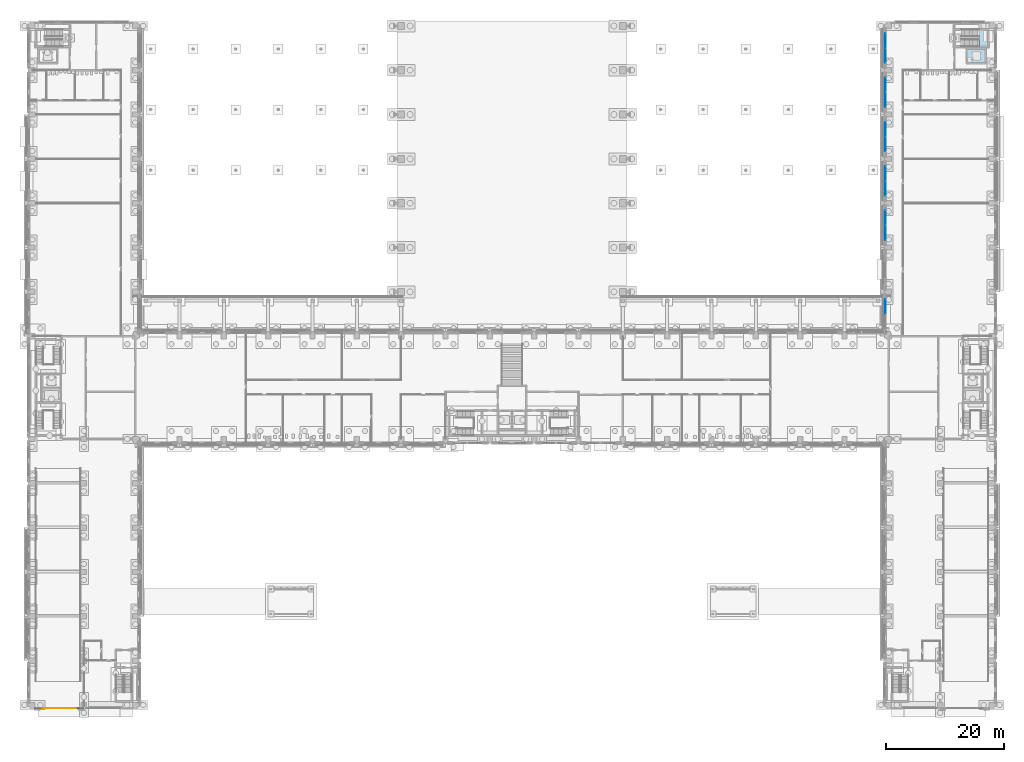
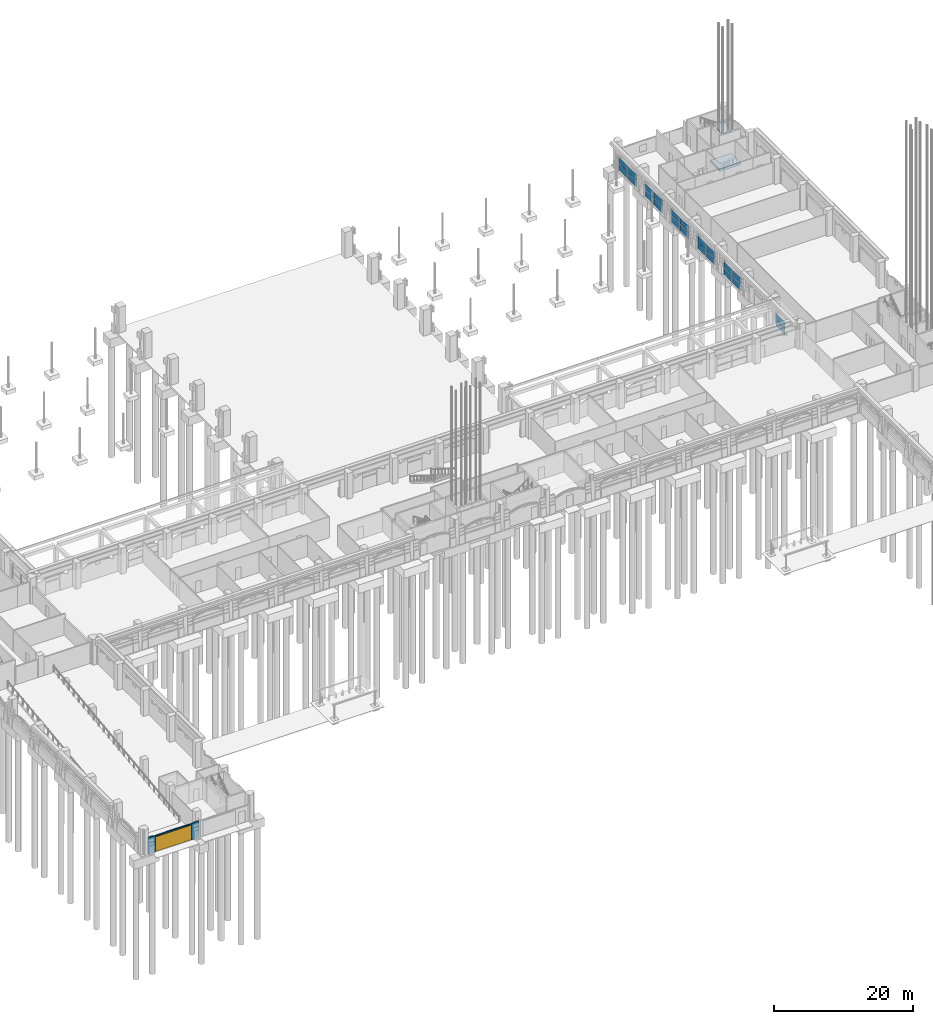
# One storey, part 30 of 99: 22 plates, 2 slabs, 1 door, 1 wall, 1 opening, 7 elements without a shape of their own.
"""IFC4 building model written with IfcOpenShell, lengths in metres."""

from ifc_helpers import new_model, si_unit, direction, frame, frame_2d, origin, origin_2d, place, context, subcontext, project, spatial, polyline, rectangle, outline, extrude, material, layer, layer_set, type_object, element, fill, aggregate, save


model = new_model("IFC4")

# Units and contexts
model_context = context("Model", 3, precision=1e-05, world=origin(), true_north=direction((0.0, 1.0)))
body_context = subcontext(model_context, "Body", "Model", "MODEL_VIEW")
ifc_project = project(units=[si_unit("LENGTHUNIT", "METRE"), si_unit("AREAUNIT", "SQUARE_METRE"), si_unit("VOLUMEUNIT", "CUBIC_METRE"), si_unit("PLANEANGLEUNIT", "RADIAN"), si_unit("MASSUNIT", "GRAM", prefix="KILO")], contexts=[model_context])

# Site, building, storey
site_placement = place(None, origin())
site = spatial("IfcSite", under=ifc_project, at=site_placement, CompositionType="ELEMENT")
building_placement = place(site_placement, origin())
building = spatial("IfcBuilding", under=site, at=building_placement, Name="Cour d'Honneur Mobility Palace", CompositionType="ELEMENT")
storey_placement = place(building_placement, origin())
storey = spatial("IfcBuildingStorey", under=building, at=storey_placement, Name="L00", CompositionType="ELEMENT", Elevation=0.0)

# Curtain wall, plates
ifc_material_1 = material(Name="Aluminium and glass", Category="aluminium")
ifc_layer_1 = layer(ifc_material_1, 0.10009765625)
ifc_layer_set_1 = layer_set([ifc_layer_1], Name="Aluminium and glass")
curtain_wall_type = type_object("IfcCurtainWallType", Name="Curtain wall run", PredefinedType="NOTDEFINED", material=ifc_layer_set_1)
curtain_wall_1_placement = place(storey_placement, origin())
curtain_wall_1 = element("IfcCurtainWall", 1, at=curtain_wall_1_placement, inside=storey, type_object=curtain_wall_type, Name="Curtain wall CW-1", PredefinedType="NOTDEFINED")
ifc_material_2 = material(Name="Double glazing", Category="glass")
ifc_layer_2 = layer(ifc_material_2, 0.028076171875)
ifc_layer_set_2 = layer_set([ifc_layer_2], Name="Double glazing")
plate_type = type_object("IfcPlateType", Name="Curtain wall panel", PredefinedType="CURTAIN_PANEL", material=ifc_layer_set_2)
plate_1_placement = place(storey_placement, frame((144.35009765625, 112.409912109375, 0.06005859375), z_axis=(0.0, 0.0, 1.0), x_axis=(0.0, -1.0, 0.0)))
plate_1 = element("IfcPlate", 2, at=plate_1_placement, type_object=plate_type, Name="CW-1 panel 1.1", PredefinedType="CURTAIN_PANEL", context=body_context, shape_type="SweptSolid", body=[
    extrude(rectangle(XDim=2.4599609375, YDim=0.028076171875, at=origin_2d()), origin(), (0.0, 0.0, 1.0), 1.110107421875),
])
plate_2_placement = place(storey_placement, frame((144.35009765625, 112.409912109375, 1.22998046875), z_axis=(0.0, 0.0, 1.0), x_axis=(0.0, -1.0, 0.0)))
plate_2 = element("IfcPlate", 3, at=plate_2_placement, type_object=plate_type, Name="CW-1 panel 1.2", PredefinedType="CURTAIN_PANEL", context=body_context, shape_type="SweptSolid", body=[
    extrude(rectangle(XDim=2.4599609375, YDim=0.028076171875, at=origin_2d()), origin(), (0.0, 0.0, 1.0), 1.110107421875),
])
plate_3_placement = place(storey_placement, frame((144.35009765625, 109.889892578125, 0.06005859375), z_axis=(0.0, 0.0, 1.0), x_axis=(0.0, -1.0, 0.0)))
plate_3 = element("IfcPlate", 4, at=plate_3_placement, type_object=plate_type, Name="CW-1 panel 2.1", PredefinedType="CURTAIN_PANEL", context=body_context, shape_type="SweptSolid", body=[
    extrude(rectangle(XDim=2.4599609375, YDim=0.028076171875, at=origin_2d()), origin(), (0.0, 0.0, 1.0), 1.110107421875),
])
plate_4_placement = place(storey_placement, frame((144.35009765625, 109.889892578125, 1.22998046875), z_axis=(0.0, 0.0, 1.0), x_axis=(0.0, -1.0, 0.0)))
plate_4 = element("IfcPlate", 5, at=plate_4_placement, type_object=plate_type, Name="CW-1 panel 2.2", PredefinedType="CURTAIN_PANEL", context=body_context, shape_type="SweptSolid", body=[
    extrude(rectangle(XDim=2.4599609375, YDim=0.028076171875, at=origin_2d()), origin(), (0.0, 0.0, 1.0), 1.110107421875),
])
aggregate(curtain_wall_1, [plate_1, plate_2, plate_3, plate_4])

curtain_wall_2_placement = place(storey_placement, origin())
curtain_wall_2 = element("IfcCurtainWall", 6, at=curtain_wall_2_placement, inside=storey, type_object=curtain_wall_type, Name="Curtain wall CW-2", PredefinedType="NOTDEFINED")
plate_5_placement = place(storey_placement, frame((144.35009765625, 104.909912109375, 0.06005859375), z_axis=(0.0, 0.0, 1.0), x_axis=(0.0, -1.0, 0.0)))
plate_5 = element("IfcPlate", 7, at=plate_5_placement, type_object=plate_type, Name="CW-2 panel 1.1", PredefinedType="CURTAIN_PANEL", context=body_context, shape_type="SweptSolid", body=[
    extrude(rectangle(XDim=2.4599609375, YDim=0.028076171875, at=origin_2d()), origin(), (0.0, 0.0, 1.0), 1.110107421875),
])
plate_6_placement = place(storey_placement, frame((144.35009765625, 104.909912109375, 1.22998046875), z_axis=(0.0, 0.0, 1.0), x_axis=(0.0, -1.0, 0.0)))
plate_6 = element("IfcPlate", 8, at=plate_6_placement, type_object=plate_type, Name="CW-2 panel 1.2", PredefinedType="CURTAIN_PANEL", context=body_context, shape_type="SweptSolid", body=[
    extrude(rectangle(XDim=2.4599609375, YDim=0.028076171875, at=origin_2d()), origin(), (0.0, 0.0, 1.0), 1.110107421875),
])
plate_7_placement = place(storey_placement, frame((144.35009765625, 102.389892578125, 0.06005859375), z_axis=(0.0, 0.0, 1.0), x_axis=(0.0, -1.0, 0.0)))
plate_7 = element("IfcPlate", 9, at=plate_7_placement, type_object=plate_type, Name="CW-2 panel 2.1", PredefinedType="CURTAIN_PANEL", context=body_context, shape_type="SweptSolid", body=[
    extrude(rectangle(XDim=2.4599609375, YDim=0.028076171875, at=origin_2d()), origin(), (0.0, 0.0, 1.0), 1.110107421875),
])
plate_8_placement = place(storey_placement, frame((144.35009765625, 102.389892578125, 1.22998046875), z_axis=(0.0, 0.0, 1.0), x_axis=(0.0, -1.0, 0.0)))
plate_8 = element("IfcPlate", 10, at=plate_8_placement, type_object=plate_type, Name="CW-2 panel 2.2", PredefinedType="CURTAIN_PANEL", context=body_context, shape_type="SweptSolid", body=[
    extrude(rectangle(XDim=2.4599609375, YDim=0.028076171875, at=origin_2d()), origin(), (0.0, 0.0, 1.0), 1.110107421875),
])
aggregate(curtain_wall_2, [plate_5, plate_6, plate_7, plate_8])

curtain_wall_3_placement = place(storey_placement, origin())
curtain_wall_3 = element("IfcCurtainWall", 11, at=curtain_wall_3_placement, inside=storey, type_object=curtain_wall_type, Name="Curtain wall CW-3", PredefinedType="NOTDEFINED")
plate_9_placement = place(storey_placement, frame((144.35009765625, 97.409912109375, 0.06005859375), z_axis=(0.0, 0.0, 1.0), x_axis=(0.0, -1.0, 0.0)))
plate_9 = element("IfcPlate", 12, at=plate_9_placement, type_object=plate_type, Name="CW-3 panel 1.1", PredefinedType="CURTAIN_PANEL", context=body_context, shape_type="SweptSolid", body=[
    extrude(rectangle(XDim=2.4599609375, YDim=0.028076171875, at=origin_2d()), origin(), (0.0, 0.0, 1.0), 1.110107421875),
])
plate_10_placement = place(storey_placement, frame((144.35009765625, 97.409912109375, 1.22998046875), z_axis=(0.0, 0.0, 1.0), x_axis=(0.0, -1.0, 0.0)))
plate_10 = element("IfcPlate", 13, at=plate_10_placement, type_object=plate_type, Name="CW-3 panel 1.2", PredefinedType="CURTAIN_PANEL", context=body_context, shape_type="SweptSolid", body=[
    extrude(rectangle(XDim=2.4599609375, YDim=0.028076171875, at=origin_2d()), origin(), (0.0, 0.0, 1.0), 1.110107421875),
])
plate_11_placement = place(storey_placement, frame((144.35009765625, 94.889892578125, 0.06005859375), z_axis=(0.0, 0.0, 1.0), x_axis=(0.0, -1.0, 0.0)))
plate_11 = element("IfcPlate", 14, at=plate_11_placement, type_object=plate_type, Name="CW-3 panel 2.1", PredefinedType="CURTAIN_PANEL", context=body_context, shape_type="SweptSolid", body=[
    extrude(rectangle(XDim=2.4599609375, YDim=0.028076171875, at=origin_2d()), origin(), (0.0, 0.0, 1.0), 1.110107421875),
])
plate_12_placement = place(storey_placement, frame((144.35009765625, 94.889892578125, 1.22998046875), z_axis=(0.0, 0.0, 1.0), x_axis=(0.0, -1.0, 0.0)))
plate_12 = element("IfcPlate", 15, at=plate_12_placement, type_object=plate_type, Name="CW-3 panel 2.2", PredefinedType="CURTAIN_PANEL", context=body_context, shape_type="SweptSolid", body=[
    extrude(rectangle(XDim=2.4599609375, YDim=0.028076171875, at=origin_2d()), origin(), (0.0, 0.0, 1.0), 1.110107421875),
])
aggregate(curtain_wall_3, [plate_9, plate_10, plate_11, plate_12])

curtain_wall_4_placement = place(storey_placement, origin())
curtain_wall_4 = element("IfcCurtainWall", 16, at=curtain_wall_4_placement, inside=storey, type_object=curtain_wall_type, Name="Curtain wall CW-4", PredefinedType="NOTDEFINED")
plate_13_placement = place(storey_placement, frame((144.35009765625, 89.909912109375, 0.06005859375), z_axis=(0.0, 0.0, 1.0), x_axis=(0.0, -1.0, 0.0)))
plate_13 = element("IfcPlate", 17, at=plate_13_placement, type_object=plate_type, Name="CW-4 panel 1.1", PredefinedType="CURTAIN_PANEL", context=body_context, shape_type="SweptSolid", body=[
    extrude(rectangle(XDim=2.4599609375, YDim=0.028076171875, at=origin_2d()), origin(), (0.0, 0.0, 1.0), 1.110107421875),
])
plate_14_placement = place(storey_placement, frame((144.35009765625, 89.909912109375, 1.22998046875), z_axis=(0.0, 0.0, 1.0), x_axis=(0.0, -1.0, 0.0)))
plate_14 = element("IfcPlate", 18, at=plate_14_placement, type_object=plate_type, Name="CW-4 panel 1.2", PredefinedType="CURTAIN_PANEL", context=body_context, shape_type="SweptSolid", body=[
    extrude(rectangle(XDim=2.4599609375, YDim=0.028076171875, at=origin_2d()), origin(), (0.0, 0.0, 1.0), 1.110107421875),
])
plate_15_placement = place(storey_placement, frame((144.35009765625, 87.389892578125, 0.06005859375), z_axis=(0.0, 0.0, 1.0), x_axis=(0.0, -1.0, 0.0)))
plate_15 = element("IfcPlate", 19, at=plate_15_placement, type_object=plate_type, Name="CW-4 panel 2.1", PredefinedType="CURTAIN_PANEL", context=body_context, shape_type="SweptSolid", body=[
    extrude(rectangle(XDim=2.4599609375, YDim=0.028076171875, at=origin_2d()), origin(), (0.0, 0.0, 1.0), 1.110107421875),
])
plate_16_placement = place(storey_placement, frame((144.35009765625, 87.389892578125, 1.22998046875), z_axis=(0.0, 0.0, 1.0), x_axis=(0.0, -1.0, 0.0)))
plate_16 = element("IfcPlate", 20, at=plate_16_placement, type_object=plate_type, Name="CW-4 panel 2.2", PredefinedType="CURTAIN_PANEL", context=body_context, shape_type="SweptSolid", body=[
    extrude(rectangle(XDim=2.4599609375, YDim=0.028076171875, at=origin_2d()), origin(), (0.0, 0.0, 1.0), 1.110107421875),
])
aggregate(curtain_wall_4, [plate_13, plate_14, plate_15, plate_16])

curtain_wall_5_placement = place(storey_placement, origin())
curtain_wall_5 = element("IfcCurtainWall", 21, at=curtain_wall_5_placement, inside=storey, type_object=curtain_wall_type, Name="Curtain wall CW-5", PredefinedType="NOTDEFINED")
plate_17_placement = place(storey_placement, frame((144.35009765625, 82.409912109375, 0.06005859375), z_axis=(0.0, 0.0, 1.0), x_axis=(0.0, -1.0, 0.0)))
plate_17 = element("IfcPlate", 22, at=plate_17_placement, type_object=plate_type, Name="CW-5 panel 1.1", PredefinedType="CURTAIN_PANEL", context=body_context, shape_type="SweptSolid", body=[
    extrude(rectangle(XDim=2.4599609375, YDim=0.028076171875, at=origin_2d()), origin(), (0.0, 0.0, 1.0), 1.110107421875),
])
plate_18_placement = place(storey_placement, frame((144.35009765625, 82.409912109375, 1.22998046875), z_axis=(0.0, 0.0, 1.0), x_axis=(0.0, -1.0, 0.0)))
plate_18 = element("IfcPlate", 23, at=plate_18_placement, type_object=plate_type, Name="CW-5 panel 1.2", PredefinedType="CURTAIN_PANEL", context=body_context, shape_type="SweptSolid", body=[
    extrude(rectangle(XDim=2.4599609375, YDim=0.028076171875, at=origin_2d()), origin(), (0.0, 0.0, 1.0), 1.110107421875),
])
plate_19_placement = place(storey_placement, frame((144.35009765625, 79.889892578125, 0.06005859375), z_axis=(0.0, 0.0, 1.0), x_axis=(0.0, -1.0, 0.0)))
plate_19 = element("IfcPlate", 24, at=plate_19_placement, type_object=plate_type, Name="CW-5 panel 2.1", PredefinedType="CURTAIN_PANEL", context=body_context, shape_type="SweptSolid", body=[
    extrude(rectangle(XDim=2.4599609375, YDim=0.028076171875, at=origin_2d()), origin(), (0.0, 0.0, 1.0), 1.110107421875),
])
plate_20_placement = place(storey_placement, frame((144.35009765625, 79.889892578125, 1.22998046875), z_axis=(0.0, 0.0, 1.0), x_axis=(0.0, -1.0, 0.0)))
plate_20 = element("IfcPlate", 25, at=plate_20_placement, type_object=plate_type, Name="CW-5 panel 2.2", PredefinedType="CURTAIN_PANEL", context=body_context, shape_type="SweptSolid", body=[
    extrude(rectangle(XDim=2.4599609375, YDim=0.028076171875, at=origin_2d()), origin(), (0.0, 0.0, 1.0), 1.110107421875),
])
aggregate(curtain_wall_5, [plate_17, plate_18, plate_19, plate_20])

curtain_wall_6_placement = place(storey_placement, origin())
curtain_wall_6 = element("IfcCurtainWall", 26, at=curtain_wall_6_placement, inside=storey, type_object=curtain_wall_type, Name="Curtain wall CW-6", PredefinedType="NOTDEFINED")
plate_21_placement = place(storey_placement, frame((144.35009765625, 67.409912109375, 0.06005859375), z_axis=(0.0, 0.0, 1.0), x_axis=(0.0, -1.0, 0.0)))
plate_21 = element("IfcPlate", 27, at=plate_21_placement, type_object=plate_type, Name="CW-6 panel 1.1", PredefinedType="CURTAIN_PANEL", context=body_context, shape_type="SweptSolid", body=[
    extrude(rectangle(XDim=2.4599609375, YDim=0.028076171875, at=origin_2d()), origin(), (0.0, 0.0, 1.0), 1.110107421875),
])
plate_22_placement = place(storey_placement, frame((144.35009765625, 67.409912109375, 1.22998046875), z_axis=(0.0, 0.0, 1.0), x_axis=(0.0, -1.0, 0.0)))
plate_22 = element("IfcPlate", 28, at=plate_22_placement, type_object=plate_type, Name="CW-6 panel 1.2", PredefinedType="CURTAIN_PANEL", context=body_context, shape_type="SweptSolid", body=[
    extrude(rectangle(XDim=2.4599609375, YDim=0.028076171875, at=origin_2d()), origin(), (0.0, 0.0, 1.0), 1.110107421875),
])
aggregate(curtain_wall_6, [plate_21, plate_22])

# Slab
ifc_material_3 = material(Name="Concrete C40", Category="concrete")
ifc_layer_3 = layer(ifc_material_3, 0.39990234375)
ifc_layer_set_3 = layer_set([ifc_layer_3], Name="Concrete C40")
slab_type_1 = type_object("IfcSlabType", Name="Lift pit slab 400", PredefinedType="BASESLAB", material=ifc_layer_set_3)
slab_1_placement = place(storey_placement, frame((0.0, 0.0, -1.800048828125)))
element("IfcSlab", 29, at=slab_1_placement, inside=storey, type_object=slab_type_1, Name="Lift pit slab NE.L1", PredefinedType="BASESLAB", context=body_context, shape_type="SweptSolid", body=[
    extrude(outline(polyline([(157.97509765625, 108.47509765625), (161.425048828125, 108.47509765625), (161.425048828125, 111.125), (157.97509765625, 111.125), (157.97509765625, 108.47509765625)])), origin(), (0.0, 0.0, 1.0), 0.400146484375),
])

# Stair, slab
ifc_material_4 = material(Name="Concrete C50", Category="concrete")
stair_type = type_object("IfcStairType", Name="Stair 24 risers", PredefinedType="HALF_TURN_STAIR", material=ifc_material_4)
stair_placement = place(storey_placement, origin())
stair = element("IfcStair", 30, at=stair_placement, inside=storey, type_object=stair_type, Name="Stair ST-NE1", PredefinedType="HALF_TURN_STAIR")
ifc_material_5 = material(Name="Concrete C50", Category="concrete")
ifc_layer_4 = layer(ifc_material_5, 0.199951171875)
ifc_layer_set_4 = layer_set([ifc_layer_4], Name="Concrete C50")
slab_type_2 = type_object("IfcSlabType", Name="Stair landing", PredefinedType="LANDING", material=ifc_layer_set_4)
slab_2_placement = place(storey_placement, frame((0.0, 0.0, 2.050048828125)))
slab_2 = element("IfcSlab", 31, at=slab_2_placement, type_object=slab_type_2, Name="ST-NE1 landing 1", PredefinedType="LANDING", context=body_context, shape_type="SweptSolid", body=[
    extrude(outline(polyline([(160.169921875, 111.39990234375), (161.72509765625, 111.39990234375), (161.72509765625, 114.324951171875), (160.169921875, 114.324951171875), (160.169921875, 111.39990234375)])), origin(), (0.0, 0.0, 1.0), 0.199951171875),
])
aggregate(stair, [slab_2])

# Wall, opening, door
ifc_material_6 = material(Name="Concrete C40", Category="concrete")
ifc_layer_5 = layer(ifc_material_6, 0.199951171875)
ifc_layer_set_5 = layer_set([ifc_layer_5], Name="Concrete C40")
wall_type = type_object("IfcWallType", Name="Arch infill panel", PredefinedType="SOLIDWALL", material=ifc_layer_set_5)
wall_placement = place(storey_placement, frame((0.300048828125, -0.550048828125, 0.0), z_axis=(0.0, 0.0, 1.0), x_axis=(1.0, 0.0, 0.0)))
wall = element("IfcWall", 32, at=wall_placement, inside=storey, type_object=wall_type, Name="Arch infill panel IP-1", PredefinedType="SOLIDWALL", context=body_context, shape_type="SweptSolid", body=[
    extrude(outline(polyline([(0.0, 0.0), (8.39990234375, 0.0), (8.39990234375, 2.89990234375), (7.501953125, 2.89990234375), (7.5, 2.800048828125), (7.08740234375, 2.811767578125), (6.675048828125, 2.82177734375), (6.262451171875, 2.83056640625), (5.85009765625, 2.83740234375), (5.4375, 2.843017578125), (5.02490234375, 2.846923828125), (4.612548828125, 2.84912109375), (4.199951171875, 2.85009765625), (3.78759765625, 2.84912109375), (3.375, 2.846923828125), (2.96240234375, 2.843017578125), (2.550048828125, 2.83740234375), (2.137451171875, 2.83056640625), (1.72509765625, 2.82177734375), (1.3125, 2.811767578125), (0.89990234375, 2.800048828125), (0.89794921875, 2.89990234375), (0.0, 2.89990234375), (0.0, 0.0)])), frame((0.0, 0.10009765625, 0.0), z_axis=(0.0, -1.0, 0.0), x_axis=(1.0, 0.0, 0.0)), (0.0, 0.0, 1.0), 0.199951171875),
])
opening_placement = place(wall_placement, frame((1.199951171875, 0.0, 0.0)))
opening = element("IfcOpeningElement", 33, at=opening_placement, cuts=wall, Name="Opening G1-1", PredefinedType="OPENING", context=body_context, shape_type="SweptSolid", body=[
    extrude(rectangle(XDim=6.0, YDim=2.64990234375, at=frame_2d((3.0, 1.324951171875))), frame((0.0, 0.10986328125, 0.0), z_axis=(0.0, -1.0, 0.0), x_axis=(1.0, 0.0, 0.0)), (0.0, 0.0, 1.0), 0.219970703125),
])
ifc_material_7 = material(Name="Galvanised steel", Category="steel")
door_type = type_object("IfcDoorType", Name="Vehicle gate 6000", OperationType="ROLLINGUP", PredefinedType="GATE", material=ifc_material_7)
door_placement = place(opening_placement, frame((6.0, 0.0, 0.0), z_axis=(0.0, 0.0, 1.0), x_axis=(-1.0, 0.0, 0.0)))
door = element("IfcDoor", 34, at=door_placement, inside=storey, type_object=door_type, Name="Vehicle gate 6000 G1-1", OperationType="SINGLE_SWING_LEFT", OverallHeight=2.64990234375, OverallWidth=6.0, PredefinedType="GATE", context=body_context, shape_type="SweptSolid", body=[
    extrude(rectangle(XDim=6.0, YDim=2.64990234375, at=frame_2d((3.0, 1.324951171875))), frame((0.0, 0.02490234375, 0.0), z_axis=(0.0, -1.0, 0.0), x_axis=(1.0, 0.0, 0.0)), (0.0, 0.0, 1.0), 0.050048828125),
])
fill(opening, door)

save(model, "model.ifc")
